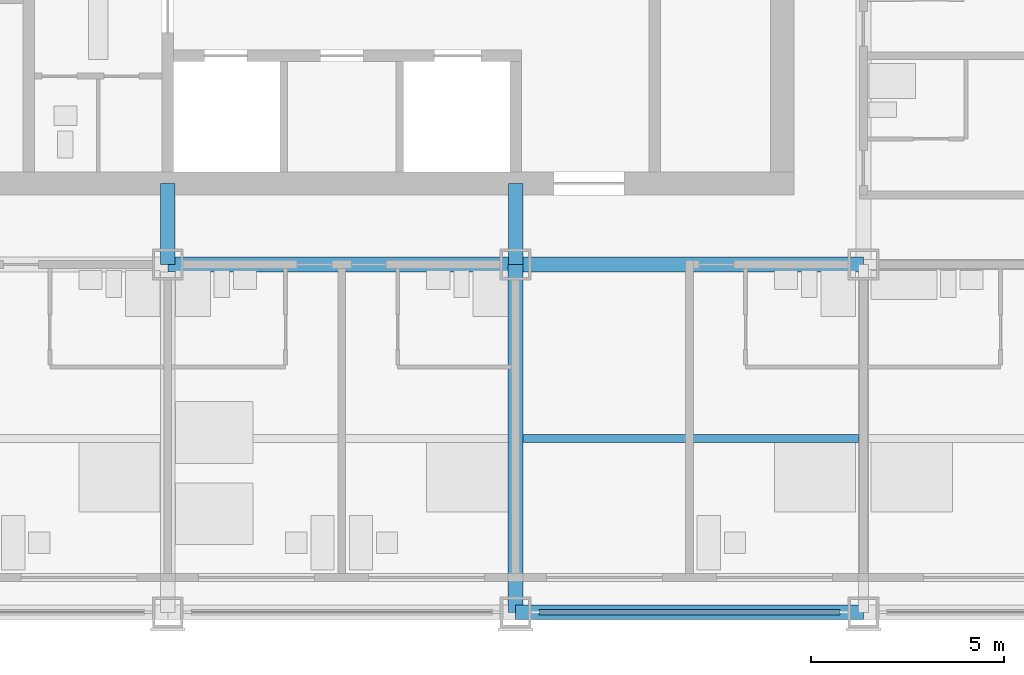
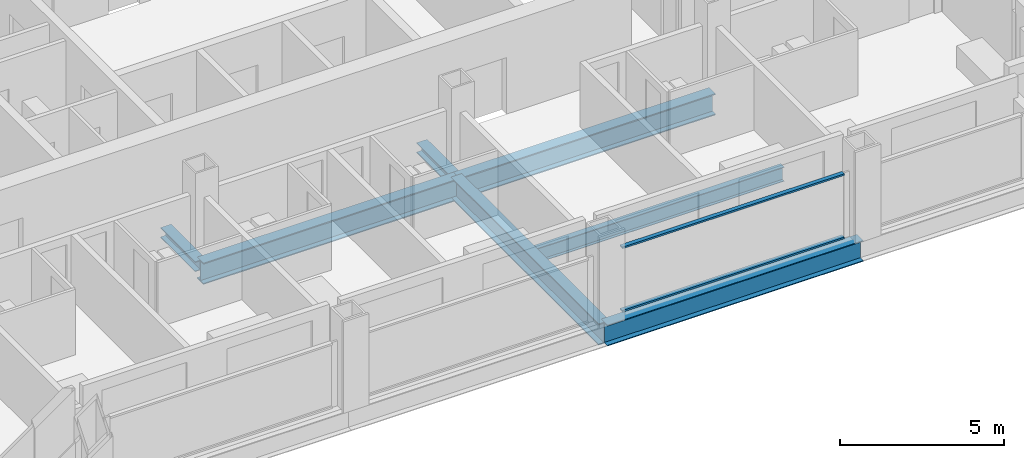
# One storey, part 3 of 14: 5 beams, 4 members, 1 element without a shape of its own.
"""IFC4 building model written with IfcOpenShell, lengths in metres."""

from ifc_helpers import new_model, si_unit, direction, frame, origin, origin_2d, place, context, subcontext, project, spatial, rectangle, i_section, extrude, material, material_profile, profile_set, type_object, element, aggregate, save


model = new_model("IFC4")

# Units and contexts
model_context = context("Model", 3, precision=1e-05, world=origin(), true_north=direction((0.0, 1.0)))
body_context = subcontext(model_context, "Body", "Model", "MODEL_VIEW")
ifc_project = project(units=[si_unit("LENGTHUNIT", "METRE"), si_unit("AREAUNIT", "SQUARE_METRE"), si_unit("VOLUMEUNIT", "CUBIC_METRE"), si_unit("PLANEANGLEUNIT", "RADIAN"), si_unit("MASSUNIT", "GRAM", prefix="KILO")], contexts=[model_context])

# Site, building, storey
site_placement = place(None, origin())
site = spatial("IfcSite", under=ifc_project, at=site_placement, CompositionType="ELEMENT")
building_placement = place(site_placement, origin())
building = spatial("IfcBuilding", under=site, at=building_placement, Name="Loomwork Tower", CompositionType="ELEMENT")
storey_placement = place(building_placement, frame((0.0, 0.0, 167.199951171875)))
storey = spatial("IfcBuildingStorey", under=building, at=storey_placement, Name="L45", CompositionType="ELEMENT", Elevation=167.199951171875)

# Beams
ifc_material_1 = material(Name="Steel ASTM A992", Category="steel")
ifc_material_profile_1 = material_profile(ifc_material_1, i_section(OverallWidth=0.383544921875, OverallDepth=0.794921875, WebThickness=0.02099609375, FlangeThickness=0.0380859375, at=origin_2d()), Name="W30x235")
ifc_profile_set_1 = profile_set([ifc_material_profile_1], Name="Steel ASTM A992")
beam_type_1 = type_object("IfcBeamType", Name="CORE FLANK GIRDER W30x235", PredefinedType="BEAM", material=ifc_profile_set_1)
for number, where, z_axis, x_axis, name in (
    (1, (18.0, 9.0, -0.597412109375), (1.0, 0.0, 0.0), (0.0, 1.0, 0.0), "Core Flank Girder E/4-E/5 L45"),
    (2, (27.0, 9.0, -0.597412109375), (1.0, 0.0, 0.0), (0.0, 1.0, 0.0), "Core Flank Girder E/5-E/6 L45"),
    (3, (27.0, 0.0, -0.597412109375), (0.0, 1.0, 0.0), (-1.0, 0.0, 0.0), "Core Flank Girder D/5-E/5 L45"),
):
    element("IfcBeam", number, at=place(storey_placement, frame(where, z_axis=z_axis, x_axis=x_axis)), inside=storey, type_object=beam_type_1, Name=name, PredefinedType="BEAM", context=body_context, shape_type="SweptSolid", body=[
        extrude(i_section(OverallWidth=0.383544921875, OverallDepth=0.794921875, WebThickness=0.02099609375, FlangeThickness=0.0380859375, at=origin_2d()), origin(), (0.0, 0.0, 1.0), 9.0),
    ])

# Members
ifc_material_2 = material(Name="Steel ASTM A992", Category="steel")
ifc_material_profile_2 = material_profile(ifc_material_2, i_section(OverallWidth=0.373291015625, OverallDepth=0.373291015625, WebThickness=0.016357421875, FlangeThickness=0.026123046875, at=origin_2d()), Name="W14x132")
ifc_profile_set_2 = profile_set([ifc_material_profile_2], Name="Steel ASTM A992")
member_type_1 = type_object("IfcMemberType", Name="CORE LINK STRUT W14x132", PredefinedType="STRUT", material=ifc_profile_set_2)
for number, where, z_axis, x_axis, name in (
    (4, (27.0, 9.0, -0.38671875), (0.0, 1.0, 0.0), (-1.0, 0.0, 0.0), "Core link strut E/5-27.000,11.100 L45"),
    (5, (18.0, 9.0, -0.38671875), (0.0, 1.0, 0.0), (-1.0, 0.0, 0.0), "Core link strut E/4-18.000,11.100 L45"),
):
    element("IfcMember", number, at=place(storey_placement, frame(where, z_axis=z_axis, x_axis=x_axis)), inside=storey, type_object=member_type_1, Name=name, PredefinedType="STRUT", context=body_context, shape_type="SweptSolid", body=[
        extrude(i_section(OverallWidth=0.373291015625, OverallDepth=0.373291015625, WebThickness=0.016357421875, FlangeThickness=0.026123046875, at=origin_2d()), origin(), (0.0, 0.0, 1.0), 2.10009765625),
    ])

# Beam
ifc_material_3 = material(Name="Steel ASTM A992", Category="steel")
ifc_material_profile_3 = material_profile(ifc_material_3, i_section(OverallWidth=0.2109375, OverallDepth=0.53857421875, WebThickness=0.011474609375, FlangeThickness=0.018798828125, at=origin_2d()), Name="W21x73")
ifc_profile_set_3 = profile_set([ifc_material_profile_3], Name="Steel ASTM A992")
beam_type_2 = type_object("IfcBeamType", Name="FLOOR JOIST W21x73", PredefinedType="JOIST", material=ifc_profile_set_3)
beam_1_placement = place(storey_placement, frame((27.19091796875, 4.5, -0.46923828125), z_axis=(1.0, 0.0, 0.0), x_axis=(0.0, 1.0, 0.0)))
element("IfcBeam", 6, at=beam_1_placement, inside=storey, type_object=beam_type_2, Name="Floor Joist 27.000,4.500-36.000,4.500 L45", PredefinedType="JOIST", context=body_context, shape_type="SweptSolid", body=[
    extrude(i_section(OverallWidth=0.2109375, OverallDepth=0.53857421875, WebThickness=0.011474609375, FlangeThickness=0.018798828125, at=origin_2d()), origin(), (0.0, 0.0, 1.0), 8.676025390625),
])

# Curtain wall, members
ifc_material_4 = material(Name="Aluminium curtain wall frame", Category="aluminium")
curtain_wall_type = type_object("IfcCurtainWallType", Name="Outer skin glazing hotel", PredefinedType="NOTDEFINED", material=ifc_material_4)
curtain_wall_placement = place(storey_placement, origin())
curtain_wall = element("IfcCurtainWall", 7, at=curtain_wall_placement, inside=storey, type_object=curtain_wall_type, Name="Outer skin glazing hotel cw/S-27", PredefinedType="NOTDEFINED")
ifc_material_5 = material(Name="Aluminium curtain wall frame", Category="aluminium")
ifc_material_profile_4 = material_profile(ifc_material_5, rectangle(XDim=0.14990234375, YDim=0.06494140625, at=origin_2d()), Name="AL 65x150")
ifc_profile_set_4 = profile_set([ifc_material_profile_4], Name="Aluminium curtain wall frame")
member_type_2 = type_object("IfcMemberType", Name="Outer skin glazing hotel transom", PredefinedType="USERDEFINED", material=ifc_profile_set_4)
member_1_placement = place(storey_placement, frame((27.60009765625, 0.0, 0.032470703125), z_axis=(1.0, 0.0, 0.0), x_axis=(0.0, 1.0, 0.0)))
member_1 = element("IfcMember", 8, at=member_1_placement, type_object=member_type_2, Name="CW1 transom 1.1", ObjectType="TRANSOM", PredefinedType="USERDEFINED", context=body_context, shape_type="SweptSolid", body=[
    extrude(rectangle(XDim=0.14990234375, YDim=0.06494140625, at=origin_2d()), origin(), (0.0, 0.0, 1.0), 7.7998046875),
])
member_2_placement = place(storey_placement, frame((27.60009765625, 0.0, 2.3876953125), z_axis=(1.0, 0.0, 0.0), x_axis=(0.0, 1.0, 0.0)))
member_2 = element("IfcMember", 9, at=member_2_placement, type_object=member_type_2, Name="CW1 transom 1.2", ObjectType="TRANSOM", PredefinedType="USERDEFINED", context=body_context, shape_type="SweptSolid", body=[
    extrude(rectangle(XDim=0.14990234375, YDim=0.06494140625, at=origin_2d()), origin(), (0.0, 0.0, 1.0), 7.7998046875),
])
aggregate(curtain_wall, [member_1, member_2])

# Beam
ifc_material_6 = material(Name="Steel ASTM A992", Category="steel")
ifc_material_profile_5 = material_profile(ifc_material_6, i_section(OverallWidth=0.381103515625, OverallDepth=0.77978515625, WebThickness=0.01806640625, FlangeThickness=0.0302734375, at=origin_2d()), Name="W30x191")
ifc_profile_set_5 = profile_set([ifc_material_profile_5], Name="Steel ASTM A992")
beam_type_3 = type_object("IfcBeamType", Name="SPANDREL GIRDER W30x191", PredefinedType="SPANDREL", material=ifc_profile_set_5)
beam_2_placement = place(storey_placement, frame((27.0, 0.0, -0.58984375), z_axis=(1.0, 0.0, 0.0), x_axis=(0.0, 1.0, 0.0)))
element("IfcBeam", 10, at=beam_2_placement, inside=storey, type_object=beam_type_3, Name="Spandrel Girder D/5-D/6 L45", PredefinedType="SPANDREL", context=body_context, shape_type="SweptSolid", body=[
    extrude(i_section(OverallWidth=0.381103515625, OverallDepth=0.77978515625, WebThickness=0.01806640625, FlangeThickness=0.0302734375, at=origin_2d()), origin(), (0.0, 0.0, 1.0), 9.0),
])

save(model, "model.ifc")
